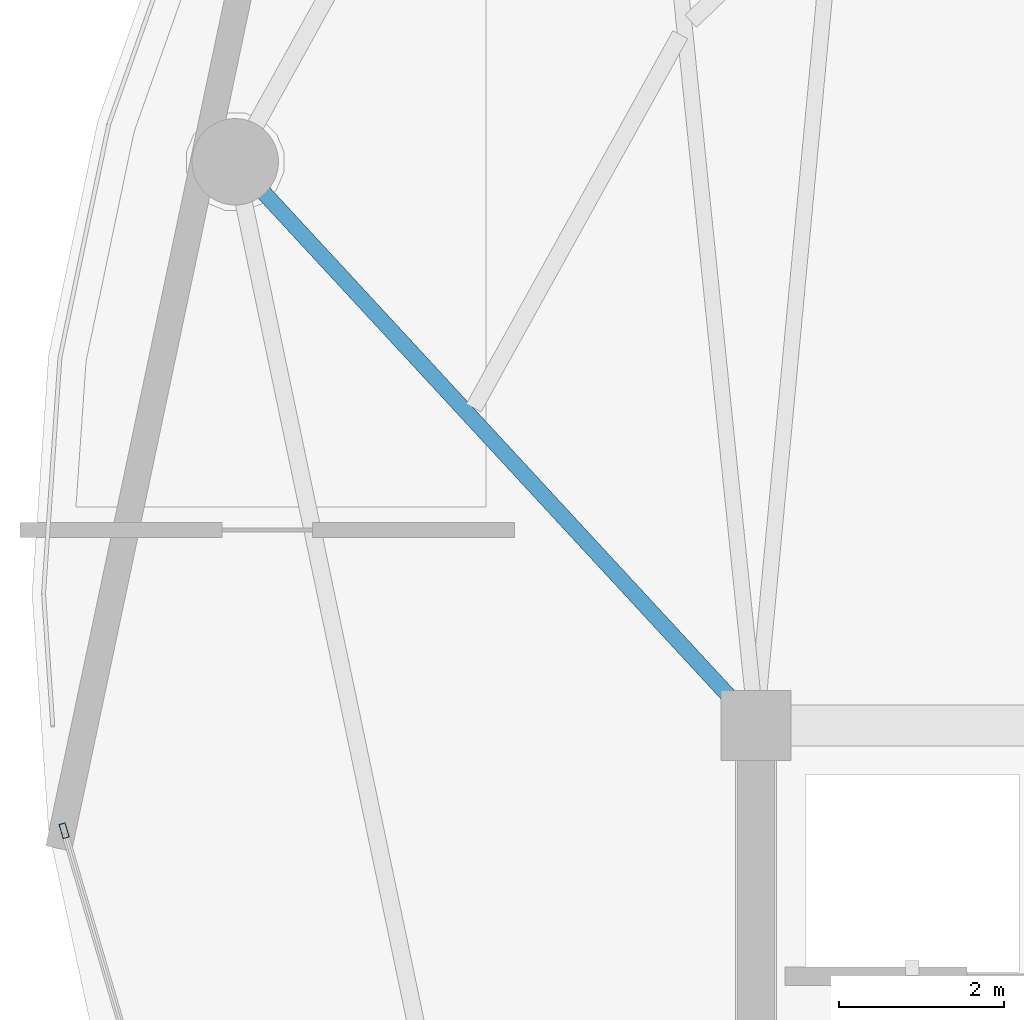
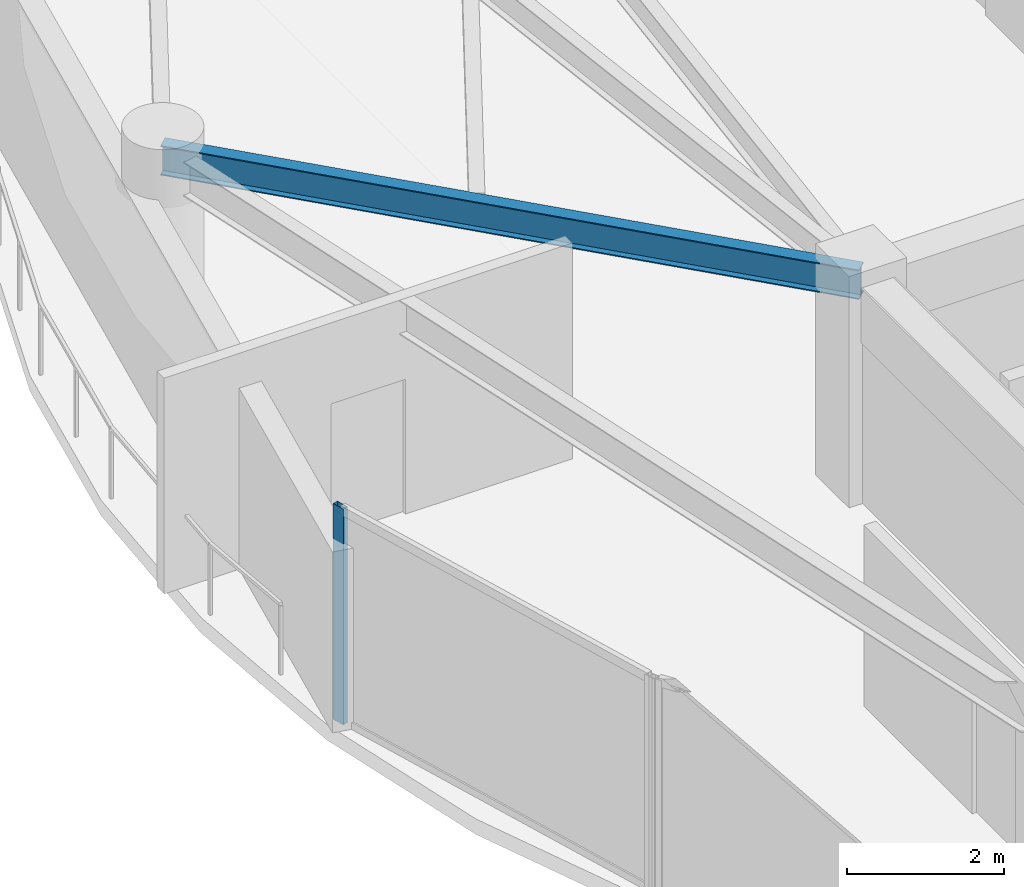
# One storey, part 7 of 28: 1 beam, 1 member, 1 element without a shape of its own.
"""IFC4 building model written with IfcOpenShell, lengths in metres."""

from ifc_helpers import new_model, si_unit, direction, frame, origin, origin_2d, place, context, subcontext, project, spatial, hollow_rectangle, i_section, extrude, material, layer, layer_set, material_profile, profile_set, type_object, element, aggregate, save


model = new_model("IFC4")

# Units and contexts
model_context = context("Model", 3, precision=1e-05, world=origin(), true_north=direction((0.0, 1.0)))
body_context = subcontext(model_context, "Body", "Model", "MODEL_VIEW")
ifc_project = project(units=[si_unit("LENGTHUNIT", "METRE"), si_unit("AREAUNIT", "SQUARE_METRE"), si_unit("VOLUMEUNIT", "CUBIC_METRE"), si_unit("PLANEANGLEUNIT", "RADIAN"), si_unit("MASSUNIT", "GRAM", prefix="KILO")], contexts=[model_context])

# Site, building, storey
site_placement = place(None, origin())
site = spatial("IfcSite", under=ifc_project, at=site_placement, CompositionType="ELEMENT")
building_placement = place(site_placement, origin())
building = spatial("IfcBuilding", under=site, at=building_placement, Name="Kazevale Care Tower and Concert Hall", CompositionType="ELEMENT")
storey_placement = place(building_placement, frame((0.0, 0.0, 246.0)))
storey = spatial("IfcBuildingStorey", under=building, at=storey_placement, Name="L65", CompositionType="ELEMENT", Elevation=246.0)

# Curtain wall, member
ifc_material_1 = material(Name="Aluminium 6063-T6 and Low-E Glass", Category="aluminium")
ifc_layer = layer(ifc_material_1, 0.179931640625)
ifc_layer_set = layer_set([ifc_layer], Name="Aluminium 6063-T6 and Low-E Glass")
curtain_wall_type = type_object("IfcCurtainWallType", Name="Waist & Upper Residential Curtain Wall CW-4", PredefinedType="NOTDEFINED", material=ifc_layer_set)
curtain_wall_placement = place(storey_placement, origin())
curtain_wall = element("IfcCurtainWall", 1, at=curtain_wall_placement, inside=storey, type_object=curtain_wall_type, Name="cw:L65:f12", PredefinedType="NOTDEFINED")
ifc_material_2 = material(Name="Aluminium 6063-T6", Category="aluminium")
ifc_material_profile_1 = material_profile(ifc_material_2, hollow_rectangle(XDim=0.080078125, YDim=0.179931640625, WallThickness=0.0048828125, at=origin_2d()), Name="ALU80x180x5")
ifc_profile_set_1 = profile_set([ifc_material_profile_1], Name="Aluminium 6063-T6")
member_type = type_object("IfcMemberType", Name="CW-4 Mullion ALU80x180x5", PredefinedType="MULLION", material=ifc_profile_set_1)
member_placement = place(storey_placement, frame((13.59033203125, 35.11865234375, 0.0), z_axis=(0.0, 0.0, 1.0), x_axis=(-0.959385539982, -0.282098184457, 0.0)))
member = element("IfcMember", 2, at=member_placement, type_object=member_type, Name="CW-4 mullion 2", PredefinedType="MULLION", context=body_context, shape_type="SweptSolid", body=[
    extrude(hollow_rectangle(XDim=0.080078125, YDim=0.179931640625, WallThickness=0.0048828125, at=origin_2d()), origin(), (0.0, 0.0, 1.0), 3.360107421875),
])
aggregate(curtain_wall, [member])

# Beam
ifc_material_3 = material(Name="Steel ASTM A572 Gr 50", Category="steel")
ifc_material_profile_2 = material_profile(ifc_material_3, i_section(OverallWidth=0.19091796875, OverallDepth=0.4599609375, WebThickness=0.010009765625, FlangeThickness=0.01611328125, at=origin_2d()), Name="W460x82")
ifc_profile_set_2 = profile_set([ifc_material_profile_2], Name="Steel ASTM A572 Gr 50")
beam_type = type_object("IfcBeamType", Name="Radial Floor Beam W460x82", PredefinedType="BEAM", material=ifc_profile_set_2)
beam_placement = place(storey_placement, frame((22.0, 36.39990234375, 3.1298828125), z_axis=(-0.678680078581, 0.734434034435, 0.0), x_axis=(-0.734434034435, -0.678680078581, 0.0)))
element("IfcBeam", 3, at=beam_placement, inside=storey, type_object=beam_type, Name="beam:L65:rad:09", PredefinedType="BEAM", context=body_context, shape_type="SweptSolid", body=[
    extrude(i_section(OverallWidth=0.19091796875, OverallDepth=0.4599609375, WebThickness=0.010009765625, FlangeThickness=0.01611328125, at=origin_2d()), origin(), (0.0, 0.0, 1.0), 9.3271484375),
])

save(model, "model.ifc")
